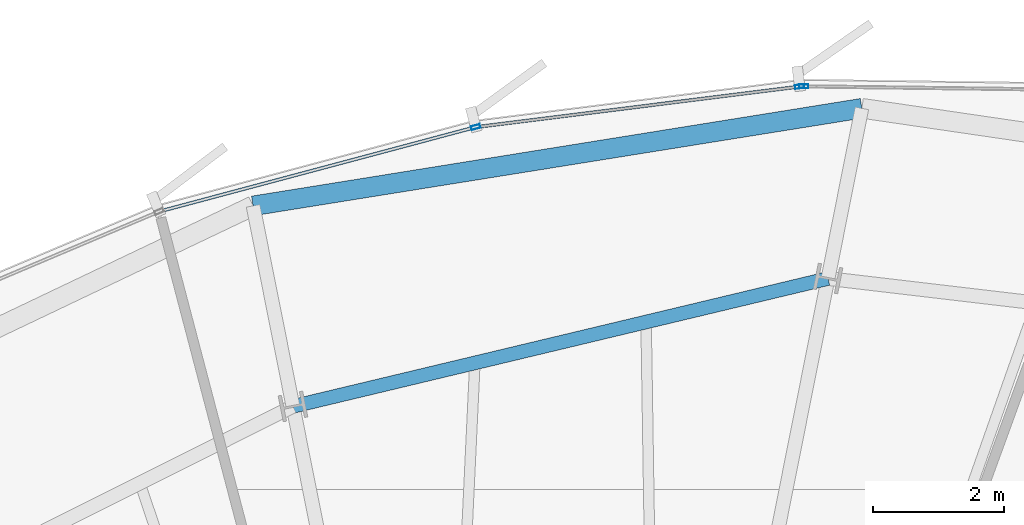
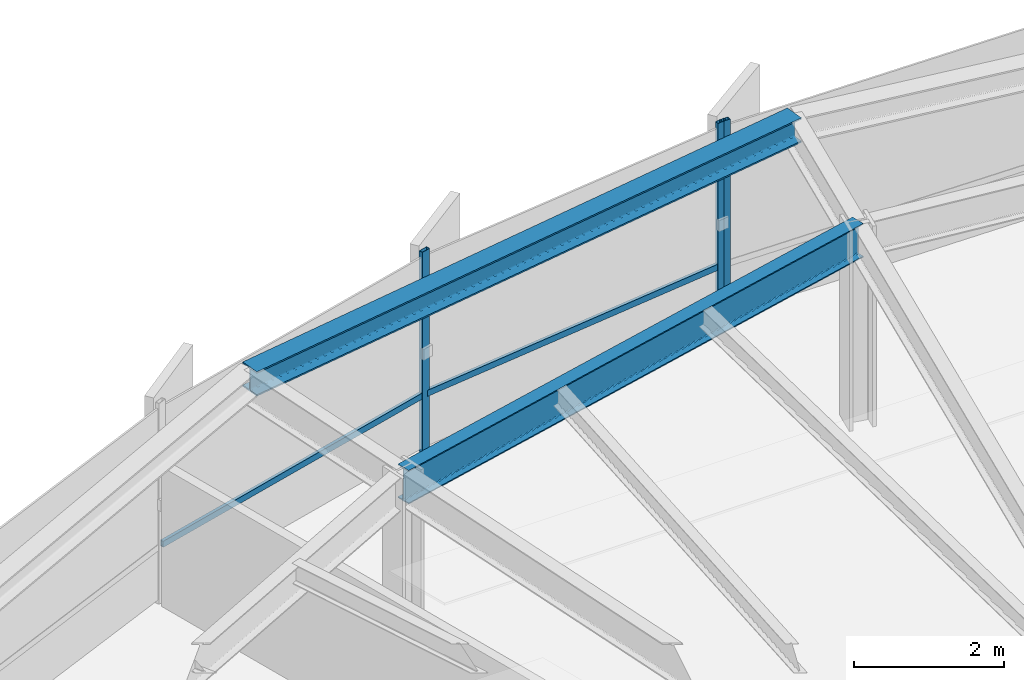
# One storey, part 22 of 36: 5 members, 2 beams, 2 elements without a shape of their own.
"""IFC4 building model written with IfcOpenShell, lengths in metres."""

from ifc_helpers import new_model, si_unit, direction, frame, origin, origin_2d, place, context, subcontext, project, spatial, hollow_rectangle, i_section, extrude, source, transform, mapped, material, layer, layer_set, material_profile, profile_set, type_object, element, aggregate, save


model = new_model("IFC4")

# Units and contexts
model_context = context("Model", 3, precision=1e-05, world=origin(), true_north=direction((0.0, 1.0)))
body_context = subcontext(model_context, "Body", "Model", "MODEL_VIEW")
ifc_project = project(units=[si_unit("LENGTHUNIT", "METRE"), si_unit("AREAUNIT", "SQUARE_METRE"), si_unit("VOLUMEUNIT", "CUBIC_METRE"), si_unit("PLANEANGLEUNIT", "RADIAN"), si_unit("MASSUNIT", "GRAM", prefix="KILO"), si_unit("THERMODYNAMICTEMPERATUREUNIT", "KELVIN")], contexts=[model_context])

# Site, building, storey
site_placement = place(None, origin())
site = spatial("IfcSite", under=ifc_project, at=site_placement, CompositionType="ELEMENT")
building_placement = place(site_placement, origin())
building = spatial("IfcBuilding", under=site, at=building_placement, Name="Kethvar Cultural Tower", CompositionType="ELEMENT")
storey_placement = place(building_placement, frame((0.0, 0.0, 143.0)))
storey = spatial("IfcBuildingStorey", under=building, at=storey_placement, Name="L36", CompositionType="ELEMENT", Elevation=143.0)

# Beams
ifc_material_1 = material(Name="Steel S355J2", Category="steel")
ifc_material_profile_1 = material_profile(ifc_material_1, i_section(OverallWidth=0.2099609375, OverallDepth=0.550048828125, WebThickness=0.010986328125, FlangeThickness=0.01708984375, FilletRadius=0.02392578125, at=origin_2d()), Name="Steel S355J2 — IPE550")
ifc_profile_set_1 = profile_set([ifc_material_profile_1], Name="Steel S355J2 — IPE550")
beam_type_1 = type_object("IfcBeamType", Name="BM-IPE550", PredefinedType="BEAM", material=ifc_profile_set_1)
shared_shape_1 = source(origin(), body_context, "Body", "SweptSolid", [
    extrude(i_section(OverallWidth=0.2099609375, OverallDepth=0.550048828125, WebThickness=0.010986328125, FlangeThickness=0.01708984375, FilletRadius=0.02392578125, at=origin_2d()), origin(), (0.0, 0.0, 1.0), 8.379150390625),
])
beam_1_placement = place(storey_placement, frame((51.068603515625, 49.25927734375, 3.02294921875), z_axis=(-0.972601380857, -0.232479147355, 0.0), x_axis=(0.232479147355, -0.972601380857, 0.0)))
element("IfcBeam", 1, at=beam_1_placement, inside=storey, type_object=beam_type_1, Name="L36 Column Ring Tie Beam CR-04", PredefinedType="BEAM", context=body_context, shape_type="MappedRepresentation", body=[
    mapped(shared_shape_1, transform((0.0, 0.0, 0.0), scale=1.0)),
])
ifc_material_profile_2 = material_profile(ifc_material_1, i_section(OverallWidth=0.300048828125, OverallDepth=0.39990234375, WebThickness=0.013427734375, FlangeThickness=0.02392578125, FilletRadius=0.027099609375, at=origin_2d()), Name="Steel S355J2 — HEB400")
ifc_profile_set_2 = profile_set([ifc_material_profile_2], Name="Steel S355J2 — HEB400")
beam_type_2 = type_object("IfcBeamType", Name="BM-SP400", PredefinedType="SPANDREL", material=ifc_profile_set_2)
shared_shape_2 = source(origin(), body_context, "Body", "SweptSolid", [
    extrude(i_section(OverallWidth=0.300048828125, OverallDepth=0.39990234375, WebThickness=0.013427734375, FlangeThickness=0.02392578125, FilletRadius=0.027099609375, at=origin_2d()), origin(), (0.0, 0.0, 1.0), 9.391357421875),
])
beam_2_placement = place(storey_placement, frame((51.584228515625, 51.85205078125, 3.097900390625), z_axis=(-0.987396468417, -0.158266276123, 0.0), x_axis=(0.158266276123, -0.987396468417, 0.0)))
element("IfcBeam", 2, at=beam_2_placement, inside=storey, type_object=beam_type_2, Name="L36 Perimeter Spandrel Beam SP-04", PredefinedType="SPANDREL", context=body_context, shape_type="MappedRepresentation", body=[
    mapped(shared_shape_2, transform((0.0, 0.0, 0.0), scale=1.0)),
])

# Curtain wall, member
ifc_material_2 = material(Name="Aluminium 6063-T6", Category="aluminium")
ifc_layer = layer(ifc_material_2, 0.179931640625, Name="Aluminium 6063-T6", Category="aluminium")
ifc_layer_set = layer_set([ifc_layer], Name="Aluminium 6063-T6 (180 mm)")
curtain_wall_type = type_object("IfcCurtainWallType", Name="CW-SYS-04-Z34", PredefinedType="NOTDEFINED", material=ifc_layer_set)
curtain_wall_1_placement = place(storey_placement, origin())
curtain_wall_1 = element("IfcCurtainWall", 3, at=curtain_wall_1_placement, inside=storey, type_object=curtain_wall_type, Name="L36 Curtain Wall Run 01", PredefinedType="NOTDEFINED")
ifc_material_profile_3 = material_profile(ifc_material_2, hollow_rectangle(XDim=0.06005859375, YDim=0.139892578125, WallThickness=0.0048828125, at=origin_2d()), Name="Aluminium 6063-T6 — RHS140x60x5")
ifc_profile_set_3 = profile_set([ifc_material_profile_3], Name="Aluminium 6063-T6 — RHS140x60x5")
member_type_1 = type_object("IfcMemberType", Name="CW-SYS-04-Z34-MUL", PredefinedType="MULLION", material=ifc_profile_set_3)
shared_shape_3 = source(origin(), body_context, "Body", "SweptSolid", [
    extrude(hollow_rectangle(XDim=0.06005859375, YDim=0.139892578125, WallThickness=0.0048828125, at=origin_2d()), origin(), (0.0, 0.0, 1.0), 3.300048828125),
])
member_1_placement = place(storey_placement, frame((50.698974609375, 52.186279296875, 0.0), z_axis=(0.0, 0.0, 1.0), x_axis=(-0.012792914446, -0.999918167322, 0.0)))
member_1 = element("IfcMember", 4, at=member_1_placement, type_object=member_type_1, Name="CW-L36-R01 Mullion 7", PredefinedType="MULLION", context=body_context, shape_type="MappedRepresentation", body=[
    mapped(shared_shape_3, transform((0.0, 0.0, 0.0), scale=1.0)),
])
aggregate(curtain_wall_1, [member_1])

# Curtain wall, members
curtain_wall_2_placement = place(storey_placement, origin())
curtain_wall_2 = element("IfcCurtainWall", 5, at=curtain_wall_2_placement, inside=storey, type_object=curtain_wall_type, Name="L36 Curtain Wall Run 02", PredefinedType="NOTDEFINED")
member_2_placement = place(storey_placement, frame((50.636474609375, 52.182861328125, 0.0), z_axis=(0.0, 0.0, 1.0), x_axis=(0.124276906979, -0.99224757515, 0.0)))
member_2 = element("IfcMember", 6, at=member_2_placement, type_object=member_type_1, Name="CW-L36-R02 Mullion 1", PredefinedType="MULLION", context=body_context, shape_type="MappedRepresentation", body=[
    mapped(shared_shape_3, transform((0.0, 0.0, 0.0), scale=1.0)),
])
member_3_placement = place(storey_placement, frame((45.702880859375, 51.56591796875, 0.0), z_axis=(0.0, 0.0, 1.0), x_axis=(0.257807388214, -0.966196331282, 0.0)))
member_3 = element("IfcMember", 7, at=member_3_placement, type_object=member_type_1, Name="CW-L36-R02 Mullion 2", PredefinedType="MULLION", context=body_context, shape_type="MappedRepresentation", body=[
    mapped(shared_shape_3, transform((0.0, 0.0, 0.0), scale=1.0)),
])
ifc_material_profile_4 = material_profile(ifc_material_2, hollow_rectangle(XDim=0.050048828125, YDim=0.10009765625, WallThickness=0.00390625, at=origin_2d()), Name="Aluminium 6063-T6 — RHS100x50x4")
ifc_profile_set_4 = profile_set([ifc_material_profile_4], Name="Aluminium 6063-T6 — RHS100x50x4")
member_type_2 = type_object("IfcMemberType", Name="CW-SYS-04-Z34-TRN", PredefinedType="USERDEFINED", material=ifc_profile_set_4)
shared_shape_4 = source(origin(), body_context, "Body", "SweptSolid", [
    extrude(hollow_rectangle(XDim=0.050048828125, YDim=0.10009765625, WallThickness=0.00390625, at=origin_2d()), origin(), (0.0, 0.0, 1.0), 4.939453125),
])
member_4_placement = place(storey_placement, frame((50.632080078125, 52.182373046875, 0.949951171875), z_axis=(-0.992243620378, -0.124308478468, 0.0), x_axis=(0.124308478468, -0.992243620378, 0.0)))
member_4 = element("IfcMember", 8, at=member_4_placement, type_object=member_type_2, Name="CW-L36-R02 Transom 1", ObjectType="TRANSOM", PredefinedType="USERDEFINED", context=body_context, shape_type="MappedRepresentation", body=[
    mapped(shared_shape_4, transform((0.0, 0.0, 0.0), scale=1.0)),
])
shared_shape_5 = source(origin(), body_context, "Body", "SweptSolid", [
    extrude(hollow_rectangle(XDim=0.050048828125, YDim=0.10009765625, WallThickness=0.00390625, at=origin_2d()), origin(), (0.0, 0.0, 1.0), 4.918701171875),
])
member_5_placement = place(storey_placement, frame((45.660888671875, 51.5546875, 0.949951171875), z_axis=(-0.966197033466, -0.257804756592, 0.0), x_axis=(0.257804756592, -0.966197033466, 0.0)))
member_5 = element("IfcMember", 9, at=member_5_placement, type_object=member_type_2, Name="CW-L36-R02 Transom 2", ObjectType="TRANSOM", PredefinedType="USERDEFINED", context=body_context, shape_type="MappedRepresentation", body=[
    mapped(shared_shape_5, transform((0.0, 0.0, 0.0), scale=1.0)),
])
aggregate(curtain_wall_2, [member_2, member_3, member_4, member_5])

save(model, "model.ifc")
